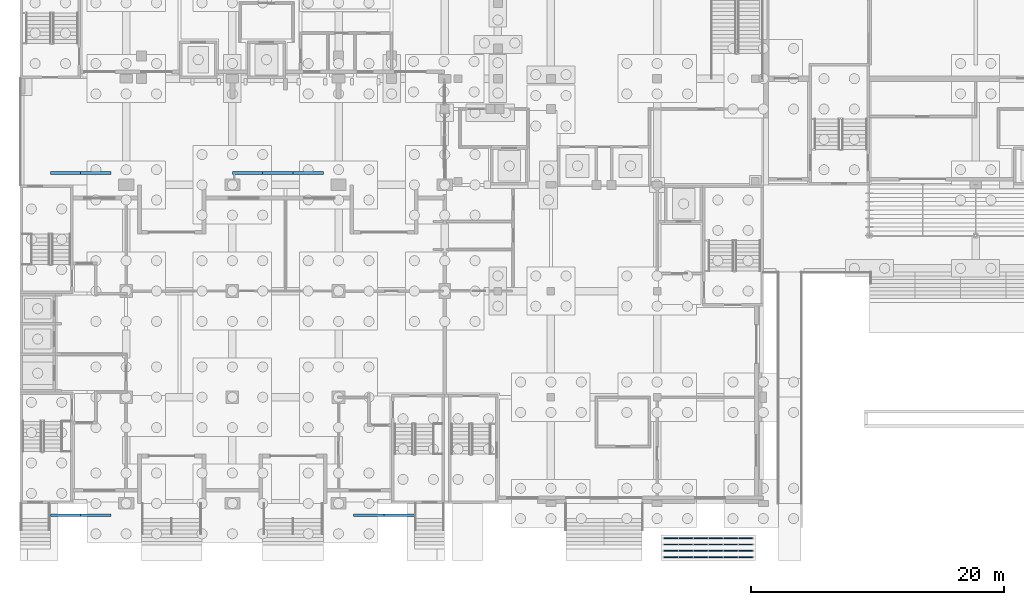
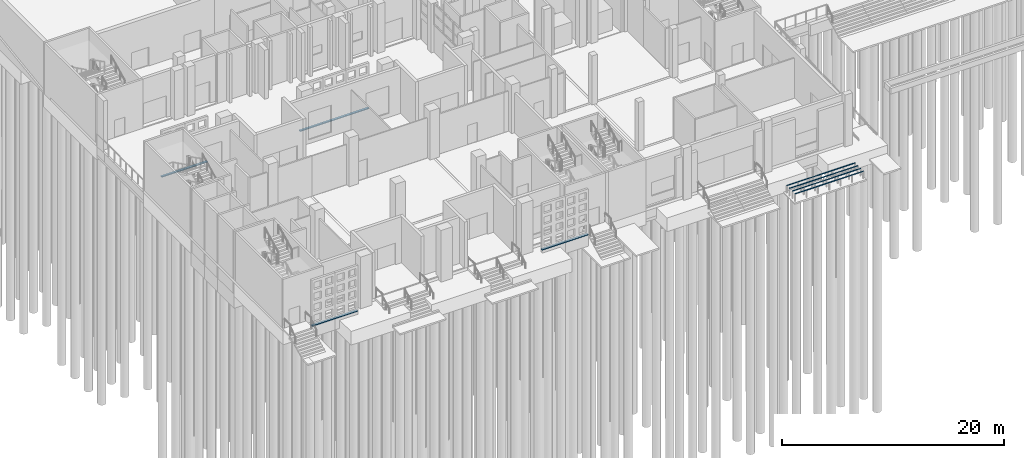
# One storey, part 17 of 129: 13 members.
"""IFC4 building model written with IfcOpenShell, lengths in metres."""

import ifcopenshell
import ifcopenshell.guid

model = None  # the IFC model being written
_history = None  # IfcOwnerHistory: only IFC2X3 demands one
_inside = {}  # id of a spatial element -> (the spatial element, [elements in it])
_under = {}  # id of a project, library or spatial element -> (it, [spatial elements below it])
_declared = {}  # id of a project -> (the project, [libraries it declares])
_typed = {}  # id of a type object -> (the type object, [elements of that type])
_made_of = {}  # id of a material, layer set ... -> (it, [elements and type objects made of it])


def new_model(schema):
    """Start an empty IFC model of exactly this schema.

    Asked for "IFC4X3", IfcOpenShell would pick the latest addendum, in which some entities
    have other attributes; the version numbers below select the first issue.
    IFC2X3 requires an IfcOwnerHistory on every rooted entity: one is made here for all.
    """
    global model, _history
    if schema == "IFC4X3":
        model = ifcopenshell.file(schema_version=(4, 3, 0, 0))
    else:
        model = ifcopenshell.file(schema=schema)
    _inside.clear()
    _under.clear()
    _declared.clear()
    _typed.clear()
    _made_of.clear()
    _history = None
    if model.schema == "IFC2X3":
        org = make("IfcOrganization", Name="unknown")
        user = make(
            "IfcPersonAndOrganization",
            ThePerson=make("IfcPerson", FamilyName="unknown"),
            TheOrganization=org,
        )
        app = make(
            "IfcApplication",
            ApplicationDeveloper=org,
            Version="unknown",
            ApplicationFullName="unknown",
            ApplicationIdentifier="unknown",
        )
        _history = make(
            "IfcOwnerHistory",
            OwningUser=user,
            OwningApplication=app,
            ChangeAction="ADDED",
            CreationDate=0,
        )
    return model


def make(cls, **values):
    """One entity of the class cls with the attributes given. An attribute that is None is left unset."""
    return model.create_entity(
        cls, **{name: value for name, value in values.items() if value is not None}
    )


def rooted(cls, **values):
    """An entity with a GlobalId (a new one), such as an element, a storey or a relation."""
    return make(cls, GlobalId=ifcopenshell.guid.new(), OwnerHistory=_history, **values)


def si_unit(unit_type, name, prefix=None):
    """IfcSIUnit, for example si_unit("LENGTHUNIT", "METRE", prefix="MILLI")."""
    return make("IfcSIUnit", UnitType=unit_type, Prefix=prefix, Name=name)


def assignment(units):
    """IfcUnitAssignment: the units of a project."""
    return None if units is None else make("IfcUnitAssignment", Units=units)


def point(xyz):
    """IfcCartesianPoint."""
    return None if xyz is None else make("IfcCartesianPoint", Coordinates=xyz)


def direction(xyz):
    """IfcDirection."""
    return None if xyz is None else make("IfcDirection", DirectionRatios=xyz)


def frame(location, z_axis=None, x_axis=None):
    """IfcAxis2Placement3D, a coordinate frame: its origin and axes. An axis left out is left unset."""
    return make(
        "IfcAxis2Placement3D",
        Location=point(location),
        Axis=direction(z_axis),
        RefDirection=direction(x_axis),
    )


def frame_2d(location, x_axis=None):
    """IfcAxis2Placement2D, a coordinate frame in the plane: its origin and x axis."""
    return make(
        "IfcAxis2Placement2D", Location=point(location), RefDirection=direction(x_axis)
    )


def origin():
    """The frame at (0, 0, 0) with its axes left unset."""
    return frame((0.0, 0.0, 0.0))


def origin_2d():
    """The frame at (0, 0) in the plane with its x axis left unset."""
    return frame_2d((0.0, 0.0))


def place(relative_to, where):
    """IfcLocalPlacement: puts the frame where relative to a parent placement (None: the world)."""
    return make(
        "IfcLocalPlacement", PlacementRelTo=relative_to, RelativePlacement=where
    )


def context(
    kind, dimensions, precision=None, world=None, true_north=None, identifier=None
):
    """IfcGeometricRepresentationContext, for example the 3D "Model" context."""
    return make(
        "IfcGeometricRepresentationContext",
        ContextIdentifier=identifier,
        ContextType=kind,
        CoordinateSpaceDimension=dimensions,
        Precision=precision,
        WorldCoordinateSystem=world,
        TrueNorth=true_north,
    )


def subcontext(parent, identifier, kind, view, scale=None):
    """IfcGeometricRepresentationSubContext, for example "Body" below "Model"."""
    return make(
        "IfcGeometricRepresentationSubContext",
        ContextIdentifier=identifier,
        ContextType=kind,
        ParentContext=parent,
        TargetScale=scale,
        TargetView=view,
    )


def project(units=None, contexts=None):
    """IfcProject with its units and contexts."""
    return rooted(
        "IfcProject",
        Name="project",
        RepresentationContexts=contexts,
        UnitsInContext=assignment(units),
    )


def spatial(cls, under=None, at=None, **own):
    """A site, building, storey or space (cls), placed at a placement, below another one or the project."""
    s = rooted(cls, ObjectPlacement=at, **own)
    if under is not None:
        _under.setdefault(under.id(), (under, []))[1].append(s)
    return s


def profile(cls, at=None, kind="AREA", **sizes):
    """A parametric profile (cls). Its sizes go by their IFC names, for example OverallWidth=200.0."""
    return make(cls, ProfileType=kind, Position=at, **sizes)


def rectangle(**sizes):
    """IfcRectangleProfileDef."""
    return profile("IfcRectangleProfileDef", **sizes)


def hollow_circle(**sizes):
    """IfcCircleHollowProfileDef."""
    return profile("IfcCircleHollowProfileDef", **sizes)


def extrude(swept, where, along, depth):
    """IfcExtrudedAreaSolid: the profile swept, set in the frame where, extruded along a direction by depth."""
    return make(
        "IfcExtrudedAreaSolid",
        SweptArea=swept,
        Position=where,
        ExtrudedDirection=direction(along),
        Depth=depth,
    )


def shape(context_of_items, identifier, shape_type, items):
    """IfcShapeRepresentation: the items that make up one representation, for example the "Body"."""
    return make(
        "IfcShapeRepresentation",
        ContextOfItems=context_of_items,
        RepresentationIdentifier=identifier,
        RepresentationType=shape_type,
        Items=items,
    )


def material(Name=None, Category=None):
    """IfcMaterial."""
    return make("IfcMaterial", Name=Name, Category=Category)


def material_profile(
    of_material, cross_section, Name=None, Category=None, Priority=None
):
    """IfcMaterialProfile: a cross section and its material."""
    return make(
        "IfcMaterialProfile",
        Name=Name,
        Material=of_material,
        Profile=cross_section,
        Priority=Priority,
        Category=Category,
    )


def profile_set(profiles, Name=None, composite=None):
    """IfcMaterialProfileSet."""
    return make(
        "IfcMaterialProfileSet",
        Name=Name,
        MaterialProfiles=profiles,
        CompositeProfile=composite,
    )


def made_of(thing, what):
    """Note that an element or type object is made of a material, layer set ...; save() writes the relation."""
    if what is not None:
        _made_of.setdefault(what.id(), (what, []))[1].append(thing)
    return thing


def type_object(cls, material=None, **own):
    """A type object (cls), such as IfcWallType, which elements share."""
    return made_of(rooted(cls, **own), material)


def element(
    cls,
    number,
    at=None,
    inside=None,
    cuts=None,
    type_object=None,
    material=None,
    context=None,
    identifier="Body",
    shape_type=None,
    held_by="IfcProductDefinitionShape",
    body=None,
    shapes=None,
    **own,
):
    """One element of the class cls, such as IfcWall. Its Tag is "e" and its number.

    at: its placement. inside: the storey or other place that contains it. cuts: it is an
    opening in that element (IfcRelVoidsElement). A single representation is given by context,
    identifier, shape_type and body (its items); several are given by shapes. held_by: the class
    of the entity that holds the representations. save() writes the other relations.
    """
    e = rooted(cls, Tag="e%d" % number, ObjectPlacement=at, **own)
    if body is not None:
        shapes = [shape(context, identifier, shape_type, body)]
    if shapes is not None:
        e.Representation = make(held_by, Representations=shapes)
    if inside is not None:
        _inside.setdefault(inside.id(), (inside, []))[1].append(e)
    if cuts is not None:
        rooted(
            "IfcRelVoidsElement", RelatingBuildingElement=cuts, RelatedOpeningElement=e
        )
    if type_object is not None:
        _typed.setdefault(type_object.id(), (type_object, []))[1].append(e)
    return made_of(e, material)


def aggregate(whole, parts):
    """IfcRelAggregates: a whole, such as a stair, and the parts it consists of."""
    return rooted("IfcRelAggregates", RelatingObject=whole, RelatedObjects=parts)


def save(model, path):
    """Write the relations noted so far, then the file.

    IfcRelAggregates (storeys below a building ...), IfcRelContainedInSpatialStructure (elements
    in a storey), IfcRelDefinesByType, IfcRelAssociatesMaterial and IfcRelDeclares: one each for
    every whole, place, type object, material and project.
    """
    for whole, parts in _under.values():
        aggregate(whole, parts)
    for where, things in _inside.values():
        rooted(
            "IfcRelContainedInSpatialStructure",
            RelatedElements=things,
            RelatingStructure=where,
        )
    for kind, things in _typed.values():
        rooted("IfcRelDefinesByType", RelatedObjects=things, RelatingType=kind)
    for what, things in _made_of.values():
        rooted("IfcRelAssociatesMaterial", RelatedObjects=things, RelatingMaterial=what)
    for by, libraries in _declared.values():
        rooted("IfcRelDeclares", RelatingContext=by, RelatedDefinitions=libraries)
    model.write(path)


model = new_model("IFC4")

# Units and contexts
model_context = context("Model", 3, precision=1e-05, world=origin(), true_north=direction((0.0, 1.0)))
body_context = subcontext(model_context, "Body", "Model", "MODEL_VIEW")
ifc_project = project(units=[si_unit("LENGTHUNIT", "METRE"), si_unit("AREAUNIT", "SQUARE_METRE"), si_unit("VOLUMEUNIT", "CUBIC_METRE"), si_unit("PLANEANGLEUNIT", "RADIAN"), si_unit("MASSUNIT", "GRAM", prefix="KILO")], contexts=[model_context])

# Site, building, storey
site_placement = place(None, origin())
site = spatial("IfcSite", under=ifc_project, at=site_placement, CompositionType="ELEMENT")
building_placement = place(site_placement, origin())
building = spatial("IfcBuilding", under=site, at=building_placement, Name="Kiln Court Media Centre", CompositionType="ELEMENT")
storey_placement = place(building_placement, origin())
storey = spatial("IfcBuildingStorey", under=building, at=storey_placement, Name="L00", CompositionType="ELEMENT", Elevation=0.0)

# Members
ifc_material_1 = material(Name="Steel ASTM A500 Gr C", Category="steel")
ifc_material_profile_1 = material_profile(ifc_material_1, hollow_circle(Radius=0.030029296875, WallThickness=0.00390625, at=origin_2d()), Name="CHS 60.3x4.0")
ifc_profile_set_1 = profile_set([ifc_material_profile_1], Name="Steel ASTM A500 Gr C")
member_type_1 = type_object("IfcMemberType", Name="Steel ASTM A500 Gr C cycle stand CHS 60.3x4.0", PredefinedType="USERDEFINED", material=ifc_profile_set_1)
for number, where, z_axis, x_axis, name in (
    (1, (50.89990234375, -4.25, -0.39990234375), (1.0, 0.0, 0.0), (0.0, 1.0, 0.0), "Cycle stand rail 1"),
    (2, (50.89990234375, -3.75, -0.39990234375), (1.0, 0.0, 0.0), (0.0, 1.0, 0.0), "Cycle stand rail 2"),
    (3, (50.89990234375, -3.25, -0.39990234375), (1.0, 0.0, 0.0), (0.0, 1.0, 0.0), "Cycle stand rail 3"),
    (4, (50.89990234375, -2.75, -0.39990234375), (1.0, 0.0, 0.0), (0.0, 1.0, 0.0), "Cycle stand rail 4"),
):
    element("IfcMember", number, at=place(storey_placement, frame(where, z_axis=z_axis, x_axis=x_axis)), inside=storey, type_object=member_type_1, Name=name, ObjectType="CYCLE STAND", PredefinedType="USERDEFINED", context=body_context, shape_type="SweptSolid", body=[
        extrude(hollow_circle(Radius=0.030029296875, WallThickness=0.00390625, at=origin_2d()), origin(), (0.0, 0.0, 1.0), 7.10009765625),
    ])
ifc_material_2 = material(Name="Steel ASTM A572 Gr 50", Category="steel")
ifc_material_profile_2 = material_profile(ifc_material_2, rectangle(XDim=0.215087890625, YDim=0.10009765625, at=origin_2d()), Name="Steel ASTM A572 Gr 50 flat rail 215x100")
ifc_profile_set_2 = profile_set([ifc_material_profile_2], Name="Steel ASTM A572 Gr 50")
member_type_2 = type_object("IfcMemberType", Name="Steel ASTM A572 Gr 50 flat rail 215x100", PredefinedType="USERDEFINED", material=ifc_profile_set_2)
member_1_placement = place(storey_placement, frame((2.39990234375, -0.9423828125, 0.050048828125), z_axis=(1.0, 0.0, 0.0), x_axis=(0.0, 1.0, 0.0)))
element("IfcMember", 5, at=member_1_placement, inside=storey, type_object=member_type_2, Name="SCREEN rail SCR-S-02", ObjectType="SCREEN RAIL", PredefinedType="USERDEFINED", context=body_context, shape_type="SweptSolid", body=[
    extrude(rectangle(XDim=0.215087890625, YDim=0.10009765625, at=origin_2d()), origin(), (0.0, 0.0, 1.0), 2.400146484375),
])
member_2_placement = place(storey_placement, frame((4.800048828125, -0.9423828125, 0.050048828125), z_axis=(1.0, 0.0, 0.0), x_axis=(0.0, 1.0, 0.0)))
element("IfcMember", 6, at=member_2_placement, inside=storey, type_object=member_type_2, Name="SCREEN rail SCR-S-03", ObjectType="SCREEN RAIL", PredefinedType="USERDEFINED", context=body_context, shape_type="SweptSolid", body=[
    extrude(rectangle(XDim=0.215087890625, YDim=0.10009765625, at=origin_2d()), origin(), (0.0, 0.0, 1.0), 2.39990234375),
])
member_3_placement = place(storey_placement, frame((26.39990234375, -0.9423828125, 0.050048828125), z_axis=(1.0, 0.0, 0.0), x_axis=(0.0, 1.0, 0.0)))
element("IfcMember", 7, at=member_3_placement, inside=storey, type_object=member_type_2, Name="SCREEN rail SCR-S-12", ObjectType="SCREEN RAIL", PredefinedType="USERDEFINED", context=body_context, shape_type="SweptSolid", body=[
    extrude(rectangle(XDim=0.215087890625, YDim=0.10009765625, at=origin_2d()), origin(), (0.0, 0.0, 1.0), 2.400146484375),
])
member_4_placement = place(storey_placement, frame((28.800048828125, -0.9423828125, 0.050048828125), z_axis=(1.0, 0.0, 0.0), x_axis=(0.0, 1.0, 0.0)))
element("IfcMember", 8, at=member_4_placement, inside=storey, type_object=member_type_2, Name="SCREEN rail SCR-S-13", ObjectType="SCREEN RAIL", PredefinedType="USERDEFINED", context=body_context, shape_type="SweptSolid", body=[
    extrude(rectangle(XDim=0.215087890625, YDim=0.10009765625, at=origin_2d()), origin(), (0.0, 0.0, 1.0), 2.39990234375),
])
member_5_placement = place(storey_placement, frame((2.39990234375, 26.142578125, 0.050048828125), z_axis=(1.0, 0.0, 0.0), x_axis=(0.0, 1.0, 0.0)))
element("IfcMember", 9, at=member_5_placement, inside=storey, type_object=member_type_2, Name="SCREEN rail SCR-N-02", ObjectType="SCREEN RAIL", PredefinedType="USERDEFINED", context=body_context, shape_type="SweptSolid", body=[
    extrude(rectangle(XDim=0.215087890625, YDim=0.10009765625, at=origin_2d()), origin(), (0.0, 0.0, 1.0), 2.400146484375),
])
for number, where, z_axis, x_axis, name in (
    (10, (4.800048828125, 26.142578125, 0.050048828125), (1.0, 0.0, 0.0), (0.0, 1.0, 0.0), "SCREEN rail SCR-N-03"),
    (11, (16.800048828125, 26.142578125, 0.050048828125), (1.0, 0.0, 0.0), (0.0, 1.0, 0.0), "SCREEN rail SCR-N-08"),
):
    element("IfcMember", number, at=place(storey_placement, frame(where, z_axis=z_axis, x_axis=x_axis)), inside=storey, type_object=member_type_2, Name=name, ObjectType="SCREEN RAIL", PredefinedType="USERDEFINED", context=body_context, shape_type="SweptSolid", body=[
        extrude(rectangle(XDim=0.215087890625, YDim=0.10009765625, at=origin_2d()), origin(), (0.0, 0.0, 1.0), 2.39990234375),
    ])
member_6_placement = place(storey_placement, frame((19.199951171875, 26.142578125, 0.050048828125), z_axis=(1.0, 0.0, 0.0), x_axis=(0.0, 1.0, 0.0)))
element("IfcMember", 12, at=member_6_placement, inside=storey, type_object=member_type_2, Name="SCREEN rail SCR-N-09", ObjectType="SCREEN RAIL", PredefinedType="USERDEFINED", context=body_context, shape_type="SweptSolid", body=[
    extrude(rectangle(XDim=0.215087890625, YDim=0.10009765625, at=origin_2d()), origin(), (0.0, 0.0, 1.0), 2.400146484375),
])
member_7_placement = place(storey_placement, frame((21.60009765625, 26.142578125, 0.050048828125), z_axis=(1.0, 0.0, 0.0), x_axis=(0.0, 1.0, 0.0)))
element("IfcMember", 13, at=member_7_placement, inside=storey, type_object=member_type_2, Name="SCREEN rail SCR-N-10", ObjectType="SCREEN RAIL", PredefinedType="USERDEFINED", context=body_context, shape_type="SweptSolid", body=[
    extrude(rectangle(XDim=0.215087890625, YDim=0.10009765625, at=origin_2d()), origin(), (0.0, 0.0, 1.0), 2.39990234375),
])

save(model, "model.ifc")
